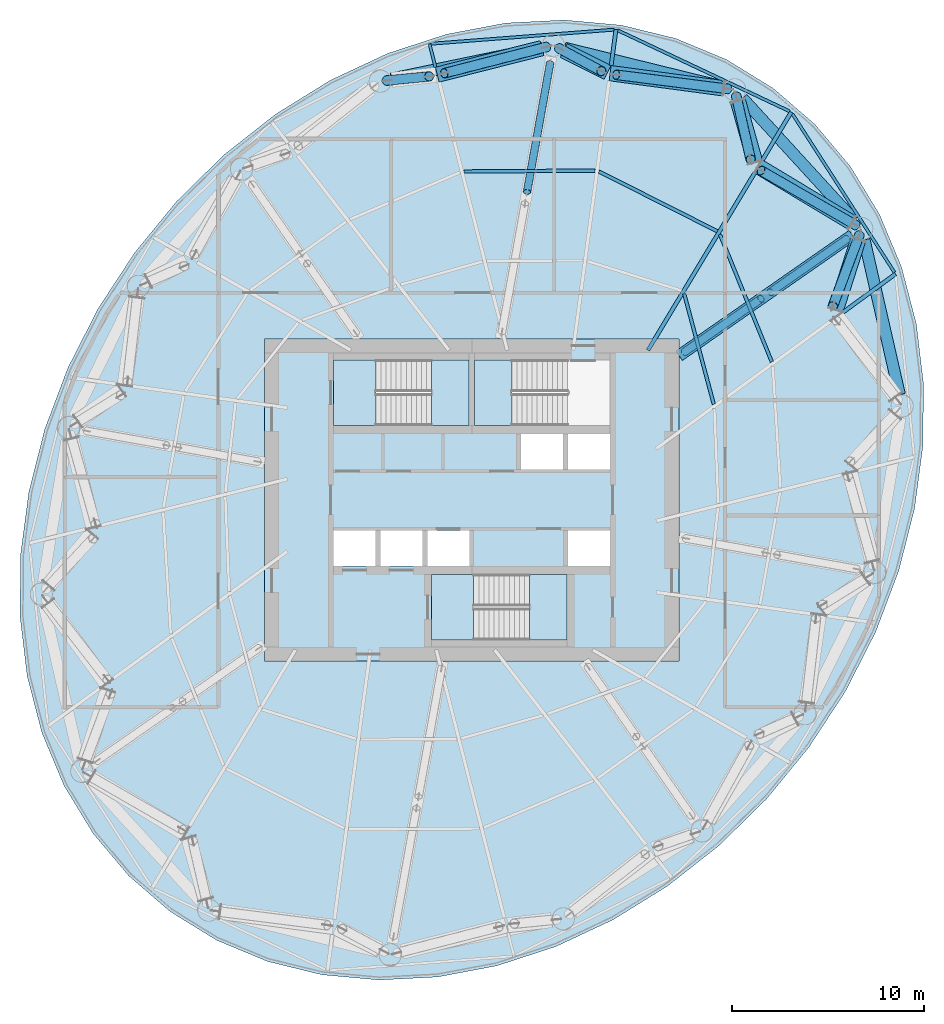
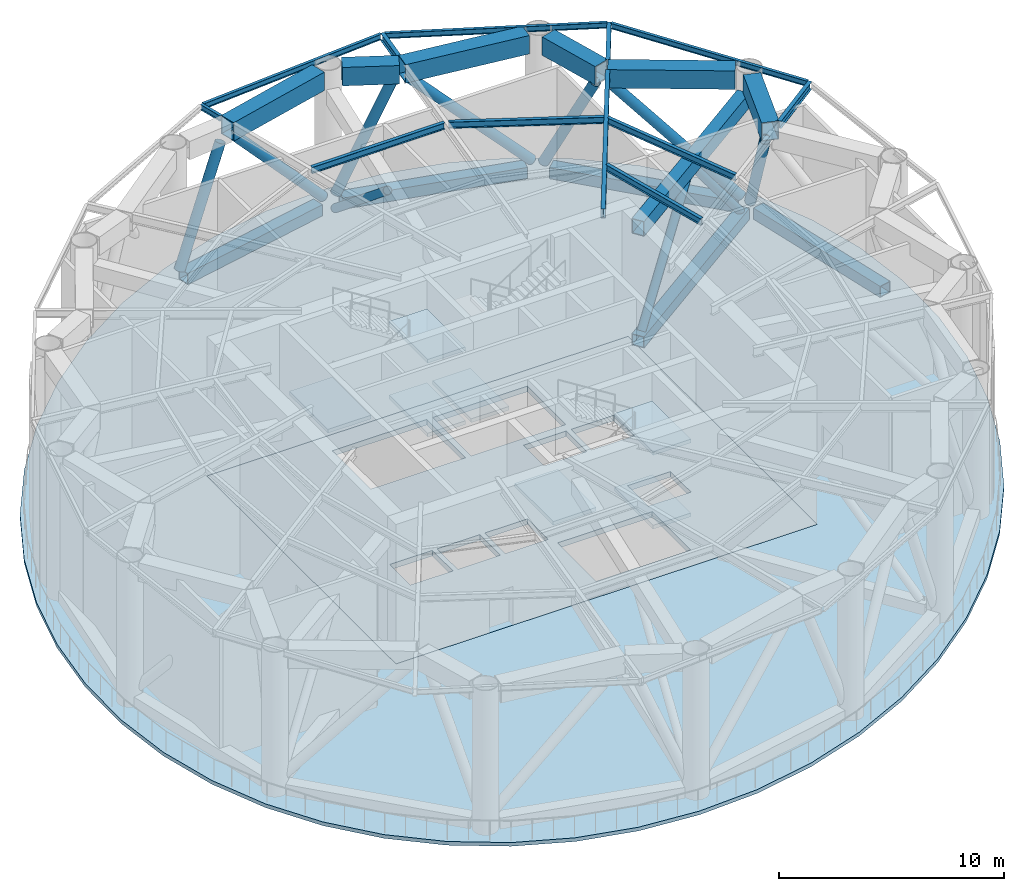
# One storey, part 4 of 15: 22 members, 12 beams, 9 slabs, 3 elements without a shape of their own.
"""IFC4 building model written with IfcOpenShell, lengths in metres."""

from ifc_helpers import new_model, si_unit, direction, frame, origin, origin_2d, place, context, subcontext, project, spatial, polyline, hollow_rectangle, hollow_circle, i_section, outline, extrude, material, layer, layer_set, material_profile, profile_set, type_object, element, aggregate, save


model = new_model("IFC4")

# Units and contexts
model_context = context("Model", 3, precision=1e-05, world=origin(), true_north=direction((0.0, 1.0)))
body_context = subcontext(model_context, "Body", "Model", "MODEL_VIEW")
ifc_project = project(units=[si_unit("LENGTHUNIT", "METRE"), si_unit("AREAUNIT", "SQUARE_METRE"), si_unit("VOLUMEUNIT", "CUBIC_METRE"), si_unit("PLANEANGLEUNIT", "RADIAN"), si_unit("MASSUNIT", "GRAM", prefix="KILO")], contexts=[model_context])

# Site, building, storey
site_placement = place(None, origin())
site = spatial("IfcSite", under=ifc_project, at=site_placement, CompositionType="ELEMENT")
building_placement = place(site_placement, origin())
building = spatial("IfcBuilding", under=site, at=building_placement, Name="Vermilion Reach Broadcast Tower", CompositionType="ELEMENT")
storey_placement = place(building_placement, frame((0.0, 0.0, 246.10009765625)))
storey = spatial("IfcBuildingStorey", under=building, at=storey_placement, Name="L61", CompositionType="ELEMENT", Elevation=246.10009765625)

# Members
ifc_material_1 = material(Name="Steel S460NL", Category="steel")
ifc_material_profile_1 = material_profile(ifc_material_1, hollow_rectangle(XDim=0.60009765625, YDim=0.60009765625, WallThickness=0.030029296875, at=origin_2d()), Name="S460NL BOX 600x600x30")
ifc_profile_set_1 = profile_set([ifc_material_profile_1], Name="Steel S460NL")
member_type_1 = type_object("IfcMemberType", Name="BT4-BC BOX 600x600x30", PredefinedType="CHORD", material=ifc_profile_set_1)
member_1_placement = place(storey_placement, frame((7.120849609375, 21.51318359375, 0.2998046875), z_axis=(-0.971158622271, 0.238434331398, 0.0), x_axis=(-0.238434331398, -0.971158622271, 0.0)))
element("IfcMember", 1, at=member_1_placement, inside=storey, type_object=member_type_1, Name="Belt truss bottom chord BT4-BC01", PredefinedType="CHORD", context=body_context, shape_type="SweptSolid", body=[
    extrude(hollow_rectangle(XDim=0.60009765625, YDim=0.60009765625, WallThickness=0.030029296875, at=origin_2d()), origin(), (0.0, 0.0, 1.0), 8.534423828125),
])
member_2_placement = place(storey_placement, frame((-2.337646484375, 23.569091796875, 0.2998046875), z_axis=(-0.97912342484, -0.203266620302, 0.0), x_axis=(0.203266620302, -0.97912342484, 0.0)))
element("IfcMember", 2, at=member_2_placement, inside=storey, type_object=member_type_1, Name="Belt truss bottom chord BT4-BC02", PredefinedType="CHORD", context=body_context, shape_type="SweptSolid", body=[
    extrude(hollow_rectangle(XDim=0.60009765625, YDim=0.60009765625, WallThickness=0.030029296875, at=origin_2d()), origin(), (0.0, 0.0, 1.0), 8.01123046875),
])
member_3_placement = place(storey_placement, frame((16.290283203125, 5.486572265625, 0.2998046875), z_axis=(-0.222283068275, 0.974982172944, 0.0), x_axis=(-0.974982172944, -0.222283068275, 0.0)))
element("IfcMember", 3, at=member_3_placement, inside=storey, type_object=member_type_1, Name="Belt truss bottom chord BT4-BC15", PredefinedType="CHORD", context=body_context, shape_type="SweptSolid", body=[
    extrude(hollow_rectangle(XDim=0.60009765625, YDim=0.60009765625, WallThickness=0.030029296875, at=origin_2d()), origin(), (0.0, 0.0, 1.0), 8.272705078125),
])
member_4_placement = place(storey_placement, frame((13.9130859375, 14.580078125, 0.2998046875), z_axis=(-0.674868141417, 0.737938338684, 0.0), x_axis=(-0.737938338684, -0.674868141417, 0.0)))
element("IfcMember", 4, at=member_4_placement, inside=storey, type_object=member_type_1, Name="Belt truss bottom chord BT4-BC16", PredefinedType="CHORD", context=body_context, shape_type="SweptSolid", body=[
    extrude(hollow_rectangle(XDim=0.60009765625, YDim=0.60009765625, WallThickness=0.030029296875, at=origin_2d()), origin(), (0.0, 0.0, 1.0), 8.601318359375),
])
ifc_material_2 = material(Name="Steel S355J2H", Category="steel")
ifc_material_profile_2 = material_profile(ifc_material_2, hollow_circle(Radius=0.25390625, WallThickness=0.02001953125, at=origin_2d()), Name="S355J2H CHS 508x20")
ifc_profile_set_2 = profile_set([ifc_material_profile_2], Name="Steel S355J2H")
member_type_2 = type_object("IfcMemberType", Name="BT4-D CHS 508x20", PredefinedType="BRACE", material=ifc_profile_set_2)
member_5_placement = place(storey_placement, frame((7.356201171875, 21.4140625, 0.7998046875), z_axis=(-0.691778634355, 0.087555180007, 0.716781983245), x_axis=(-0.125563621504, -0.992085569371, 0.0)))
element("IfcMember", 5, at=member_5_placement, inside=storey, type_object=member_type_2, Name="Belt truss diagonal BT4-D01A", PredefinedType="BRACE", context=body_context, shape_type="SweptSolid", body=[
    extrude(hollow_circle(Radius=0.25390625, WallThickness=0.02001953125, at=origin_2d()), origin(), (0.0, 0.0, 1.0), 8.426513671875),
])
member_6_placement = place(storey_placement, frame((-1.442138671875, 23.52490234375, 0.7998046875), z_axis=(0.335527084778, -0.180973123018, 0.924483804144), x_axis=(0.474719310985, 0.880137248262, 0.0)))
element("IfcMember", 6, at=member_6_placement, inside=storey, type_object=member_type_2, Name="Belt truss diagonal BT4-D01B", PredefinedType="BRACE", context=body_context, shape_type="SweptSolid", body=[
    extrude(hollow_circle(Radius=0.25390625, WallThickness=0.02001953125, at=origin_2d()), origin(), (0.0, 0.0, 1.0), 6.533447265625),
])
member_7_placement = place(storey_placement, frame((-2.089111328125, 23.60400390625, 0.7998046875), z_axis=(-0.653249408941, -0.16786331317, 0.73830015428), x_axis=(0.248880959834, -0.968534081916, 0.0)))
element("IfcMember", 7, at=member_7_placement, inside=storey, type_object=member_type_2, Name="Belt truss diagonal BT4-D02A", PredefinedType="BRACE", context=body_context, shape_type="SweptSolid", body=[
    extrude(hollow_circle(Radius=0.25390625, WallThickness=0.02001953125, at=origin_2d()), origin(), (0.0, 0.0, 1.0), 8.180908203125),
])
member_8_placement = place(storey_placement, frame((-10.4208984375, 21.852783203125, 0.7998046875), z_axis=(0.342645229584, 0.033471380274, 0.938868421743), x_axis=(-0.097222469705, 0.995262674566, 0.0)))
element("IfcMember", 8, at=member_8_placement, inside=storey, type_object=member_type_2, Name="Belt truss diagonal BT4-D02B", PredefinedType="BRACE", context=body_context, shape_type="SweptSolid", body=[
    extrude(hollow_circle(Radius=0.25390625, WallThickness=0.02001953125, at=origin_2d()), origin(), (0.0, 0.0, 1.0), 6.433349609375),
])
member_9_placement = place(storey_placement, frame((14.19580078125, 13.809326171875, 0.7998046875), z_axis=(-0.191131498231, -0.512627603061, 0.837067315671), x_axis=(0.936990841746, -0.349353921525, 0.0)))
element("IfcMember", 9, at=member_9_placement, inside=storey, type_object=member_type_2, Name="Belt truss diagonal BT4-D15B", PredefinedType="BRACE", context=body_context, shape_type="SweptSolid", body=[
    extrude(hollow_circle(Radius=0.25390625, WallThickness=0.02001953125, at=origin_2d()), origin(), (0.0, 0.0, 1.0), 7.2158203125),
])
member_10_placement = place(storey_placement, frame((14.014892578125, 14.31201171875, 0.7998046875), z_axis=(-0.595081626089, 0.342959266537, 0.726812768041), x_axis=(-0.499332365952, -0.866410519507, 0.0)))
element("IfcMember", 10, at=member_10_placement, inside=storey, type_object=member_type_2, Name="Belt truss diagonal BT4-D16A", PredefinedType="BRACE", context=body_context, shape_type="SweptSolid", body=[
    extrude(hollow_circle(Radius=0.25390625, WallThickness=0.02001953125, at=origin_2d()), origin(), (0.0, 0.0, 1.0), 8.310302734375),
])
member_11_placement = place(storey_placement, frame((7.781494140625, 21.02880859375, 0.7998046875), z_axis=(0.108223826144, -0.474009055761, 0.873843818146), x_axis=(0.974912582096, 0.222588088789, 0.0)))
element("IfcMember", 11, at=member_11_placement, inside=storey, type_object=member_type_2, Name="Belt truss diagonal BT4-D16B", PredefinedType="BRACE", context=body_context, shape_type="SweptSolid", body=[
    extrude(hollow_circle(Radius=0.25390625, WallThickness=0.02001953125, at=origin_2d()), origin(), (0.0, 0.0, 1.0), 6.912109375),
])
ifc_material_3 = material(Name="Steel S460NL", Category="steel")
ifc_material_profile_3 = material_profile(ifc_material_3, hollow_rectangle(XDim=0.800048828125, YDim=1.0, WallThickness=0.0400390625, at=origin_2d()), Name="S460NL BOX 800x1000x40")
ifc_profile_set_3 = profile_set([ifc_material_profile_3], Name="Steel S460NL")
member_type_3 = type_object("IfcMemberType", Name="BT4-TC BOX 800x1000x40", PredefinedType="CHORD", material=ifc_profile_set_3)
member_12_placement = place(storey_placement, frame((7.098876953125, 21.45068359375, 7.349853515625), z_axis=(-0.991191617397, 0.132435560189, 0.0), x_axis=(-0.132435560189, -0.991191617397, 0.0)))
element("IfcMember", 12, at=member_12_placement, inside=storey, type_object=member_type_3, Name="Belt truss top chord BT4-TC01", PredefinedType="CHORD", context=body_context, shape_type="SweptSolid", body=[
    extrude(hollow_rectangle(XDim=0.800048828125, YDim=1.0, WallThickness=0.0400390625, at=origin_2d()), origin(), (0.0, 0.0, 1.0), 5.94140625),
])
member_13_placement = place(storey_placement, frame((1.07421875, 22.279296875, 7.349853515625), z_axis=(-0.894503844139, 0.447060256365, 0.0), x_axis=(-0.447060256365, -0.894503844139, 0.0)))
element("IfcMember", 13, at=member_13_placement, inside=storey, type_object=member_type_3, Name="Belt truss top chord BT4-TC02", PredefinedType="CHORD", context=body_context, shape_type="SweptSolid", body=[
    extrude(hollow_rectangle(XDim=0.800048828125, YDim=1.0, WallThickness=0.0400390625, at=origin_2d()), origin(), (0.0, 0.0, 1.0), 2.547607421875),
])
member_14_placement = place(storey_placement, frame((-2.34130859375, 23.541015625, 7.349853515625), z_axis=(-0.969268233243, -0.246006284525, 0.0), x_axis=(0.246006284525, -0.969268233243, 0.0)))
element("IfcMember", 14, at=member_14_placement, inside=storey, type_object=member_type_3, Name="Belt truss top chord BT4-TC03", PredefinedType="CHORD", context=body_context, shape_type="SweptSolid", body=[
    extrude(hollow_rectangle(XDim=0.800048828125, YDim=1.0, WallThickness=0.0400390625, at=origin_2d()), origin(), (0.0, 0.0, 1.0), 5.625),
])
member_15_placement = place(storey_placement, frame((12.968994140625, 9.918701171875, 7.349853515625), z_axis=(0.304620308545, 0.95247386716, 0.0), x_axis=(-0.95247386716, 0.304620308545, 0.0)))
element("IfcMember", 15, at=member_15_placement, inside=storey, type_object=member_type_3, Name="Belt truss top chord BT4-TC30", PredefinedType="CHORD", context=body_context, shape_type="SweptSolid", body=[
    extrude(hollow_rectangle(XDim=0.800048828125, YDim=1.0, WallThickness=0.0400390625, at=origin_2d()), origin(), (0.0, 0.0, 1.0), 3.81884765625),
])
member_16_placement = place(storey_placement, frame((13.79541015625, 14.45166015625, 7.349853515625), z_axis=(-0.856880254366, 0.515515498969, 0.0), x_axis=(-0.515515498969, -0.856880254366, 0.0)))
element("IfcMember", 16, at=member_16_placement, inside=storey, type_object=member_type_3, Name="Belt truss top chord BT4-TC31", PredefinedType="CHORD", context=body_context, shape_type="SweptSolid", body=[
    extrude(hollow_rectangle(XDim=0.800048828125, YDim=1.0, WallThickness=0.0400390625, at=origin_2d()), origin(), (0.0, 0.0, 1.0), 5.66650390625),
])
member_17_placement = place(storey_placement, frame((8.75537109375, 17.614990234375, 7.349853515625), z_axis=(-0.269698744745, 0.962944747679, 0.0), x_axis=(-0.962944747679, -0.269698744745, 0.0)))
element("IfcMember", 17, at=member_17_placement, inside=storey, type_object=member_type_3, Name="Belt truss top chord BT4-TC32", PredefinedType="CHORD", context=body_context, shape_type="SweptSolid", body=[
    extrude(hollow_rectangle(XDim=0.800048828125, YDim=1.0, WallThickness=0.0400390625, at=origin_2d()), origin(), (0.0, 0.0, 1.0), 3.28955078125),
])

# Beams
ifc_material_4 = material(Name="Steel S355J2", Category="steel")
ifc_material_profile_4 = material_profile(ifc_material_4, i_section(OverallWidth=0.14990234375, OverallDepth=0.300048828125, WebThickness=0.006591796875, FlangeThickness=0.009033203125, at=origin_2d()), Name="S355J2 HN 300x150x6.5x9")
ifc_profile_set_4 = profile_set([ifc_material_profile_4], Name="Steel S355J2")
beam_type_1 = type_object("IfcBeamType", Name="EB5 HN 300x150x6.5x9", PredefinedType="BEAM", material=ifc_profile_set_4)
beam_1_placement = place(storey_placement, frame((1.411376953125, 24.50341796875, 7.699951171875), z_axis=(-0.997048176014, -0.076778478149, 0.0), x_axis=(0.076778478149, -0.997048176014, 0.0)))
element("IfcBeam", 18, at=beam_1_placement, inside=storey, type_object=beam_type_1, Name="Edge beam EB5-01", PredefinedType="BEAM", context=body_context, shape_type="SweptSolid", body=[
    extrude(i_section(OverallWidth=0.14990234375, OverallDepth=0.300048828125, WebThickness=0.006591796875, FlangeThickness=0.009033203125, at=origin_2d()), origin(), (0.0, 0.0, 1.0), 9.56494140625),
])
beam_2_placement = place(storey_placement, frame((16.01953125, 11.85986328125, 7.699951171875), z_axis=(-0.541365845249, 0.840787144049, 0.0), x_axis=(-0.840787144049, -0.541365845249, 0.0)))
element("IfcBeam", 19, at=beam_2_placement, inside=storey, type_object=beam_type_1, Name="Edge beam EB5-15", PredefinedType="BEAM", context=body_context, shape_type="SweptSolid", body=[
    extrude(i_section(OverallWidth=0.14990234375, OverallDepth=0.300048828125, WebThickness=0.006591796875, FlangeThickness=0.009033203125, at=origin_2d()), origin(), (0.0, 0.0, 1.0), 9.81640625),
])
beam_3_placement = place(storey_placement, frame((10.55419921875, 20.249755859375, 7.699951171875), z_axis=(-0.904545501306, 0.426377105468, 0.0), x_axis=(-0.426377105468, -0.904545501306, 0.0)))
element("IfcBeam", 20, at=beam_3_placement, inside=storey, type_object=beam_type_1, Name="Edge beam EB5-16", PredefinedType="BEAM", context=body_context, shape_type="SweptSolid", body=[
    extrude(i_section(OverallWidth=0.14990234375, OverallDepth=0.300048828125, WebThickness=0.006591796875, FlangeThickness=0.009033203125, at=origin_2d()), origin(), (0.0, 0.0, 1.0), 9.889892578125),
])
ifc_material_5 = material(Name="Steel S355J2", Category="steel")
ifc_material_profile_5 = material_profile(ifc_material_5, i_section(OverallWidth=0.199951171875, OverallDepth=0.5, WebThickness=0.010009765625, FlangeThickness=0.01611328125, at=origin_2d()), Name="S355J2 HN 500x200x10x16")
ifc_profile_set_5 = profile_set([ifc_material_profile_5], Name="Steel S355J2")
beam_type_2 = type_object("IfcBeamType", Name="G5 HN 500x200x10x16", PredefinedType="BEAM", material=ifc_profile_set_5)
beam_4_placement = place(storey_placement, frame((3.180908203125, 7.800048828125, 7.599853515625), z_axis=(0.515518653599, 0.856878356473, 0.0), x_axis=(-0.856878356473, 0.515518653599, 0.0)))
element("IfcBeam", 21, at=beam_4_placement, inside=storey, type_object=beam_type_2, Name="Girder G5-16", PredefinedType="BEAM", context=body_context, shape_type="SweptSolid", body=[
    extrude(i_section(OverallWidth=0.199951171875, OverallDepth=0.5, WebThickness=0.010009765625, FlangeThickness=0.01611328125, at=origin_2d()), origin(), (0.0, 0.0, 1.0), 10.771728515625),
])
ifc_material_6 = material(Name="Steel S355J2", Category="steel")
ifc_material_profile_6 = material_profile(ifc_material_6, i_section(OverallWidth=0.199951171875, OverallDepth=0.39990234375, WebThickness=0.008056640625, FlangeThickness=0.012939453125, at=origin_2d()), Name="S355J2 HN 400x200x8x13")
ifc_profile_set_6 = profile_set([ifc_material_profile_6], Name="Steel S355J2")
beam_type_3 = type_object("IfcBeamType", Name="GC5 HN 400x200x8x13", PredefinedType="BEAM", material=ifc_profile_set_6)
beam_5_placement = place(storey_placement, frame((1.2626953125, 22.634033203125, 7.64990234375), z_axis=(0.132391703482, 0.991197476212, 0.0), x_axis=(-0.991197476212, 0.132391703482, 0.0)))
element("IfcBeam", 22, at=beam_5_placement, inside=storey, type_object=beam_type_3, Name="Cantilever girder GC5-01", PredefinedType="BEAM", context=body_context, shape_type="SweptSolid", body=[
    extrude(i_section(OverallWidth=0.199951171875, OverallDepth=0.39990234375, WebThickness=0.008056640625, FlangeThickness=0.012939453125, at=origin_2d()), origin(), (0.0, 0.0, 1.0), 1.893798828125),
])
beam_6_placement = place(storey_placement, frame((13.351318359375, 9.7880859375, 7.64990234375), z_axis=(0.80766043083, 0.589647885157, 0.0), x_axis=(-0.589647885157, 0.80766043083, 0.0)))
element("IfcBeam", 23, at=beam_6_placement, inside=storey, type_object=beam_type_3, Name="Cantilever girder GC5-15", PredefinedType="BEAM", context=body_context, shape_type="SweptSolid", body=[
    extrude(i_section(OverallWidth=0.199951171875, OverallDepth=0.39990234375, WebThickness=0.008056640625, FlangeThickness=0.012939453125, at=origin_2d()), origin(), (0.0, 0.0, 1.0), 3.370849609375),
])
beam_7_placement = place(storey_placement, frame((9.146240234375, 17.715576171875, 7.64990234375), z_axis=(0.515483279977, 0.856899637101, 0.0), x_axis=(-0.856899637101, 0.515483279977, 0.0)))
element("IfcBeam", 24, at=beam_7_placement, inside=storey, type_object=beam_type_3, Name="Cantilever girder GC5-16", PredefinedType="BEAM", context=body_context, shape_type="SweptSolid", body=[
    extrude(i_section(OverallWidth=0.199951171875, OverallDepth=0.39990234375, WebThickness=0.008056640625, FlangeThickness=0.012939453125, at=origin_2d()), origin(), (0.0, 0.0, 1.0), 2.907470703125),
])
ifc_material_7 = material(Name="Steel S355J2", Category="steel")
ifc_material_profile_7 = material_profile(ifc_material_7, i_section(OverallWidth=0.14990234375, OverallDepth=0.300048828125, WebThickness=0.006591796875, FlangeThickness=0.009033203125, at=origin_2d()), Name="S355J2 HN 300x150x6.5x9")
ifc_profile_set_7 = profile_set([ifc_material_profile_7], Name="Steel S355J2")
beam_type_4 = type_object("IfcBeamType", Name="GS5 HN 300x150x6.5x9", PredefinedType="BEAM", material=ifc_profile_set_7)
beam_8_placement = place(storey_placement, frame((-7.891845703125, 22.544921875, 7.699951171875), z_axis=(-0.246098815652, 0.969244743568, 0.0), x_axis=(-0.969244743568, -0.246098815652, 0.0)))
element("IfcBeam", 25, at=beam_8_placement, inside=storey, type_object=beam_type_4, Name="Cantilever stub GS5-02", PredefinedType="BEAM", context=body_context, shape_type="SweptSolid", body=[
    extrude(i_section(OverallWidth=0.14990234375, OverallDepth=0.300048828125, WebThickness=0.006591796875, FlangeThickness=0.009033203125, at=origin_2d()), origin(), (0.0, 0.0, 1.0), 1.2568359375),
])

# Members
ifc_material_8 = material(Name="Steel S460NL", Category="steel")
ifc_material_profile_8 = material_profile(ifc_material_8, hollow_rectangle(XDim=0.60009765625, YDim=0.60009765625, WallThickness=0.030029296875, at=origin_2d()), Name="S460NL BOX 600x600x30")
ifc_profile_set_8 = profile_set([ifc_material_profile_8], Name="Steel S460NL")
member_type_4 = type_object("IfcMemberType", Name="OR4-BC BOX 600x600x30", PredefinedType="CHORD", material=ifc_profile_set_8)
member_18_placement = place(storey_placement, frame((4.800048828125, 7.5146484375, 0.2998046875), z_axis=(0.820848627818, 0.571145804684, 0.0), x_axis=(-0.571145804684, 0.820848627818, 0.0)))
element("IfcMember", 26, at=member_18_placement, inside=storey, type_object=member_type_4, Name="Outrigger bottom chord OR4-16", PredefinedType="CHORD", context=body_context, shape_type="SweptSolid", body=[
    extrude(hollow_rectangle(XDim=0.60009765625, YDim=0.60009765625, WallThickness=0.030029296875, at=origin_2d()), origin(), (0.0, 0.0, 1.0), 10.99560546875),
])
ifc_material_9 = material(Name="Steel S355J2H", Category="steel")
ifc_material_profile_9 = material_profile(ifc_material_9, hollow_circle(Radius=0.203125, WallThickness=0.01611328125, at=origin_2d()), Name="S355J2H CHS 406x16")
ifc_profile_set_9 = profile_set([ifc_material_profile_9], Name="Steel S355J2H")
member_type_5 = type_object("IfcMemberType", Name="OR4-D CHS 406x16", PredefinedType="BRACE", material=ifc_profile_set_9)
member_19_placement = place(storey_placement, frame((-1.91796875, 22.756103515625, 0.599853515625), z_axis=(-0.137897032415, -0.768838890466, 0.624396643936), x_axis=(0.984293391942, -0.176540416279, 0.0)))
element("IfcMember", 27, at=member_19_placement, inside=storey, type_object=member_type_5, Name="Outrigger diagonal OR4-02-DB", PredefinedType="BRACE", context=body_context, shape_type="SweptSolid", body=[
    extrude(hollow_circle(Radius=0.203125, WallThickness=0.01611328125, at=origin_2d()), origin(), (0.0, 0.0, 1.0), 8.728271484375),
])
for number, where, z_axis, x_axis, name in (
    (28, (5.08740234375, 7.714599609375, 0.599853515625), (0.545556808214, 0.379570170265, 0.747190909244), (-0.571117608851, 0.820868245738, 0.0), "Outrigger diagonal OR4-16-DA"),
    (29, (13.538330078125, 13.5947265625, 0.599853515625), (-0.545549876798, -0.379598819116, 0.747181416024), (0.57115154329, -0.820844634872, 0.0), "Outrigger diagonal OR4-16-DB"),
):
    element("IfcMember", number, at=place(storey_placement, frame(where, z_axis=z_axis, x_axis=x_axis)), inside=storey, type_object=member_type_5, Name=name, PredefinedType="BRACE", context=body_context, shape_type="SweptSolid", body=[
        extrude(hollow_circle(Radius=0.203125, WallThickness=0.01611328125, at=origin_2d()), origin(), (0.0, 0.0, 1.0), 7.2939453125),
    ])
ifc_material_10 = material(Name="Steel S460NL", Category="steel")
ifc_material_profile_10 = material_profile(ifc_material_10, hollow_rectangle(XDim=0.60009765625, YDim=0.800048828125, WallThickness=0.030029296875, at=origin_2d()), Name="S460NL BOX 600x800x30")
ifc_profile_set_10 = profile_set([ifc_material_profile_10], Name="Steel S460NL")
member_type_6 = type_object("IfcMemberType", Name="OR4-TC BOX 600x800x30", PredefinedType="CHORD", material=ifc_profile_set_10)
member_20_placement = place(storey_placement, frame((4.800048828125, 7.5146484375, 6.449951171875), z_axis=(0.820848627818, 0.571145804684, 0.0), x_axis=(-0.571145804684, 0.820848627818, 0.0)))
element("IfcMember", 30, at=member_20_placement, inside=storey, type_object=member_type_6, Name="Outrigger top chord OR4-16", PredefinedType="CHORD", context=body_context, shape_type="SweptSolid", body=[
    extrude(hollow_rectangle(XDim=0.60009765625, YDim=0.800048828125, WallThickness=0.030029296875, at=origin_2d()), origin(), (0.0, 0.0, 1.0), 10.99560546875),
])

# Beams
ifc_material_11 = material(Name="Steel S355J2", Category="steel")
ifc_material_profile_11 = material_profile(ifc_material_11, i_section(OverallWidth=0.175048828125, OverallDepth=0.35009765625, WebThickness=0.007080078125, FlangeThickness=0.010986328125, at=origin_2d()), Name="S355J2 HN 350x175x7x11")
ifc_profile_set_11 = profile_set([ifc_material_profile_11], Name="Steel S355J2")
beam_type_5 = type_object("IfcBeamType", Name="SB5 HN 350x175x7x11", PredefinedType="BEAM", material=ifc_profile_set_11)
beam_9_placement = place(storey_placement, frame((0.430419921875, 17.16015625, 7.6748046875), z_axis=(-0.999977010688, -0.006780714919, 0.0), x_axis=(0.006780714919, -0.999977010688, 0.0)))
element("IfcBeam", 31, at=beam_9_placement, inside=storey, type_object=beam_type_5, Name="Secondary beam SB5-01-2", PredefinedType="BEAM", context=body_context, shape_type="SweptSolid", body=[
    extrude(i_section(OverallWidth=0.175048828125, OverallDepth=0.35009765625, WebThickness=0.007080078125, FlangeThickness=0.010986328125, at=origin_2d()), origin(), (0.0, 0.0, 1.0), 6.841064453125),
])
beam_10_placement = place(storey_placement, frame((6.607421875, 4.988037109375, 7.6748046875), z_axis=(-0.25845335965, 0.966023737227, 0.0), x_axis=(-0.966023737227, -0.25845335965, 0.0)))
element("IfcBeam", 32, at=beam_10_placement, inside=storey, type_object=beam_type_5, Name="Secondary beam SB5-15-1", PredefinedType="BEAM", context=body_context, shape_type="SweptSolid", body=[
    extrude(i_section(OverallWidth=0.175048828125, OverallDepth=0.35009765625, WebThickness=0.007080078125, FlangeThickness=0.010986328125, at=origin_2d()), origin(), (0.0, 0.0, 1.0), 5.956787109375),
])
beam_11_placement = place(storey_placement, frame((9.63134765625, 7.19580078125, 7.6748046875), z_axis=(-0.376756039219, 0.926312521189, 0.0), x_axis=(-0.926312521189, -0.376756039219, 0.0)))
element("IfcBeam", 33, at=beam_11_placement, inside=storey, type_object=beam_type_5, Name="Secondary beam SB5-15-2", PredefinedType="BEAM", context=body_context, shape_type="SweptSolid", body=[
    extrude(i_section(OverallWidth=0.175048828125, OverallDepth=0.35009765625, WebThickness=0.007080078125, FlangeThickness=0.010986328125, at=origin_2d()), origin(), (0.0, 0.0, 1.0), 7.170166015625),
])
beam_12_placement = place(storey_placement, frame((6.793212890625, 13.99853515625, 7.6748046875), z_axis=(-0.89263920224, 0.450771843202, 0.0), x_axis=(-0.450771843202, -0.89263920224, 0.0)))
element("IfcBeam", 34, at=beam_12_placement, inside=storey, type_object=beam_type_5, Name="Secondary beam SB5-16-2", PredefinedType="BEAM", context=body_context, shape_type="SweptSolid", body=[
    extrude(i_section(OverallWidth=0.175048828125, OverallDepth=0.35009765625, WebThickness=0.007080078125, FlangeThickness=0.010986328125, at=origin_2d()), origin(), (0.0, 0.0, 1.0), 6.9091796875),
])

# Slab
ifc_material_12 = material(Name="Concrete C40", Category="concrete")
ifc_layer_1 = layer(ifc_material_12, 0.300048828125)
ifc_layer_set_1 = layer_set([ifc_layer_1], Name="Core floor slab 300 mm Concrete C40")
slab_type_1 = type_object("IfcSlabType", Name="Core floor slab 300 mm Concrete C40", PredefinedType="FLOOR", material=ifc_layer_set_1)
slab_1_placement = place(storey_placement, frame((0.0, 0.0, -0.300048828125)))
element("IfcSlab", 35, at=slab_1_placement, inside=storey, type_object=slab_type_1, Name="L61 core floor", PredefinedType="FLOOR", context=body_context, shape_type="SweptSolid", body=[
    extrude(outline(polyline([(-16.800048828125, -8.39990234375), (4.800048828125, -8.39990234375), (4.800048828125, 8.39990234375), (-16.800048828125, 8.39990234375), (-16.800048828125, -8.39990234375)]), holes=[polyline([(-3.433349609375, 1.60009765625), (-1.24169921875, 1.60009765625), (-1.24169921875, 3.429931640625), (-3.433349609375, 3.429931640625), (-3.433349609375, 1.60009765625)]), polyline([(-0.99169921875, 1.60009765625), (1.199951171875, 1.60009765625), (1.199951171875, 3.429931640625), (-0.99169921875, 3.429931640625), (-0.99169921875, 1.60009765625)]), polyline([(-13.199951171875, -3.429931640625), (-11.00830078125, -3.429931640625), (-11.00830078125, -1.60009765625), (-13.199951171875, -1.60009765625), (-13.199951171875, -3.429931640625)]), polyline([(-10.75830078125, -3.429931640625), (-8.566650390625, -3.429931640625), (-8.566650390625, -1.60009765625), (-10.75830078125, -1.60009765625), (-10.75830078125, -3.429931640625)]), polyline([(-8.316650390625, -3.429931640625), (-6.125, -3.429931640625), (-6.125, -1.60009765625), (-8.316650390625, -1.60009765625), (-8.316650390625, -3.429931640625)]), polyline([(-0.99169921875, -3.429931640625), (1.199951171875, -3.429931640625), (1.199951171875, -1.60009765625), (-0.99169921875, -1.60009765625), (-0.99169921875, -3.429931640625)]), polyline([(-10.999267578125, 3.8798828125), (-6.14990234375, 3.8798828125), (-6.14990234375, 7.300048828125), (-10.999267578125, 7.300048828125), (-10.999267578125, 3.8798828125)]), polyline([(-1.000732421875, 7.300048828125), (-5.85009765625, 7.300048828125), (-5.85009765625, 3.8798828125), (-1.000732421875, 3.8798828125), (-1.000732421875, 7.300048828125)]), polyline([(-5.8994140625, -7.300048828125), (-1.050048828125, -7.300048828125), (-1.050048828125, -3.8798828125), (-5.8994140625, -3.8798828125), (-5.8994140625, -7.300048828125)])]), origin(), (0.0, 0.0, 1.0), 0.300048828125),
])

# Stair, slabs
ifc_material_13 = material(Name="Concrete C40", Category="concrete")
stair_type = type_object("IfcStairType", Name="Exit stair RC 48 risers 167 mm", PredefinedType="HALF_TURN_STAIR", material=ifc_material_13)
placement_1 = place(storey_placement, origin())
stair_1 = element("IfcStair", 36, at=placement_1, inside=storey, type_object=stair_type, Name="L61 Exit stair ST1", PredefinedType="HALF_TURN_STAIR")
ifc_material_14 = material(Name="Concrete C40", Category="concrete")
ifc_layer_2 = layer(ifc_material_14, 0.199951171875)
ifc_layer_set_2 = layer_set([ifc_layer_2], Name="Exit stair landing Concrete C40")
slab_type_2 = type_object("IfcSlabType", Name="Exit stair landing Concrete C40", PredefinedType="LANDING", material=ifc_layer_set_2)
placement_2 = place(storey_placement, frame((0.0, 0.0, 1.7998046875)))
slab_2 = element("IfcSlab", 37, at=placement_2, type_object=slab_type_2, Name="ST1 landing 1", PredefinedType="LANDING", context=body_context, shape_type="SweptSolid", body=[
    extrude(outline(polyline([(-8.0849609375, 3.8798828125), (-6.14990234375, 3.8798828125), (-6.14990234375, 7.300048828125), (-8.0849609375, 7.300048828125), (-8.0849609375, 3.8798828125)])), origin(), (0.0, 0.0, 1.0), 0.2001953125),
])
placement_3 = place(storey_placement, frame((0.0, 0.0, 3.7998046875)))
slab_3 = element("IfcSlab", 38, at=placement_3, type_object=slab_type_2, Name="ST1 landing 2", PredefinedType="LANDING", context=body_context, shape_type="SweptSolid", body=[
    extrude(outline(polyline([(-13.199951171875, 3.8798828125), (-11.0, 3.8798828125), (-11.0, 7.300048828125), (-13.199951171875, 7.300048828125), (-13.199951171875, 3.8798828125)])), origin(), (0.0, 0.0, 1.0), 0.2001953125),
])
placement_4 = place(storey_placement, frame((0.0, 0.0, 5.7998046875)))
slab_4 = element("IfcSlab", 39, at=placement_4, type_object=slab_type_2, Name="ST1 landing 3", PredefinedType="LANDING", context=body_context, shape_type="SweptSolid", body=[
    extrude(outline(polyline([(-8.0849609375, 3.8798828125), (-6.14990234375, 3.8798828125), (-6.14990234375, 7.300048828125), (-8.0849609375, 7.300048828125), (-8.0849609375, 3.8798828125)])), origin(), (0.0, 0.0, 1.0), 0.2001953125),
])
aggregate(stair_1, [slab_2, slab_3, slab_4])

# Stair, slab
stair_2 = element("IfcStair", 40, at=placement_1, inside=storey, type_object=stair_type, Name="L61 Exit stair ST2", PredefinedType="HALF_TURN_STAIR")
slab_5 = element("IfcSlab", 41, at=placement_2, type_object=slab_type_2, Name="ST2 landing 1", PredefinedType="LANDING", context=body_context, shape_type="SweptSolid", body=[
    extrude(outline(polyline([(-3.9150390625, 7.300048828125), (-5.85009765625, 7.300048828125), (-5.85009765625, 3.8798828125), (-3.9150390625, 3.8798828125), (-3.9150390625, 7.300048828125)])), origin(), (0.0, 0.0, 1.0), 0.2001953125),
])
aggregate(stair_2, [slab_5])

# Stair, slabs
stair_3 = element("IfcStair", 42, at=placement_1, inside=storey, type_object=stair_type, Name="L61 Exit stair ST3", PredefinedType="HALF_TURN_STAIR")
slab_6 = element("IfcSlab", 43, at=placement_2, type_object=slab_type_2, Name="ST3 landing 1", PredefinedType="LANDING", context=body_context, shape_type="SweptSolid", body=[
    extrude(outline(polyline([(-2.985107421875, -7.300048828125), (-1.050048828125, -7.300048828125), (-1.050048828125, -3.8798828125), (-2.985107421875, -3.8798828125), (-2.985107421875, -7.300048828125)])), origin(), (0.0, 0.0, 1.0), 0.2001953125),
])
slab_7 = element("IfcSlab", 44, at=placement_3, type_object=slab_type_2, Name="ST3 landing 2", PredefinedType="LANDING", context=body_context, shape_type="SweptSolid", body=[
    extrude(outline(polyline([(-8.10009765625, -7.300048828125), (-5.89990234375, -7.300048828125), (-5.89990234375, -3.8798828125), (-8.10009765625, -3.8798828125), (-8.10009765625, -7.300048828125)])), origin(), (0.0, 0.0, 1.0), 0.2001953125),
])
slab_8 = element("IfcSlab", 45, at=placement_4, type_object=slab_type_2, Name="ST3 landing 3", PredefinedType="LANDING", context=body_context, shape_type="SweptSolid", body=[
    extrude(outline(polyline([(-2.985107421875, -7.300048828125), (-1.050048828125, -7.300048828125), (-1.050048828125, -3.8798828125), (-2.985107421875, -3.8798828125), (-2.985107421875, -7.300048828125)])), origin(), (0.0, 0.0, 1.0), 0.2001953125),
])
aggregate(stair_3, [slab_6, slab_7, slab_8])

# Slab
ifc_material_15 = material(Name="Concrete C40", Category="concrete")
ifc_layer_3 = layer(ifc_material_15, 0.199951171875)
ifc_layer_set_3 = layer_set([ifc_layer_3], Name="Floor slab Concrete C40 200")
slab_type_3 = type_object("IfcSlabType", Name="Floor slab Concrete C40 200", PredefinedType="FLOOR", material=ifc_layer_set_3)
slab_9_placement = place(storey_placement, frame((0.0, 0.0, -0.2001953125)))
element("IfcSlab", 46, at=slab_9_placement, inside=storey, type_object=slab_type_3, Name="Floor slab L61", PredefinedType="FLOOR", context=body_context, shape_type="SweptSolid", body=[
    extrude(outline(polyline([(9.714111328125, 21.439208984375), (7.28662109375, 22.936767578125), (4.6318359375, 24.04150390625), (1.794921875, 24.735107421875), (-1.17529296875, 25.00537109375), (-4.22802734375, 24.847900390625), (-7.31103515625, 24.26513671875), (-10.37158203125, 23.267333984375), (-13.357421875, 21.871337890625), (-16.217529296875, 20.10107421875), (-18.902587890625, 17.987060546875), (-21.366943359375, 15.565185546875), (-23.568359375, 12.876953125), (-25.46923828125, 9.96826171875), (-27.036865234375, 6.88916015625), (-28.24462890625, 3.692138671875), (-29.07177734375, 0.43212890625), (-29.504150390625, -2.83544921875), (-29.5341796875, -6.054443359375), (-29.161865234375, -9.169921875), (-28.39306640625, -12.12841796875), (-27.2412109375, -14.879638671875), (-25.725830078125, -17.3759765625), (-23.872802734375, -19.5751953125), (-21.714111328125, -21.439208984375), (-19.28662109375, -22.936767578125), (-16.6318359375, -24.04150390625), (-13.794921875, -24.735107421875), (-10.82470703125, -25.00537109375), (-7.77197265625, -24.847900390625), (-4.68896484375, -24.26513671875), (-1.62841796875, -23.267333984375), (1.357421875, -21.871337890625), (4.217529296875, -20.10107421875), (6.902587890625, -17.987060546875), (9.366943359375, -15.565185546875), (11.568359375, -12.876953125), (13.46923828125, -9.96826171875), (15.036865234375, -6.88916015625), (16.24462890625, -3.692138671875), (17.07177734375, -0.43212890625), (17.504150390625, 2.83544921875), (17.5341796875, 6.054443359375), (17.161865234375, 9.169921875), (16.39306640625, 12.12841796875), (15.2412109375, 14.879638671875), (13.725830078125, 17.3759765625), (11.872802734375, 19.5751953125), (9.714111328125, 21.439208984375)]), holes=[polyline([(-16.800048828125, -8.39990234375), (4.800048828125, -8.39990234375), (4.800048828125, 8.39990234375), (-16.800048828125, 8.39990234375), (-16.800048828125, -8.39990234375)])]), origin(), (0.0, 0.0, 1.0), 0.2001953125),
])

save(model, "model.ifc")
